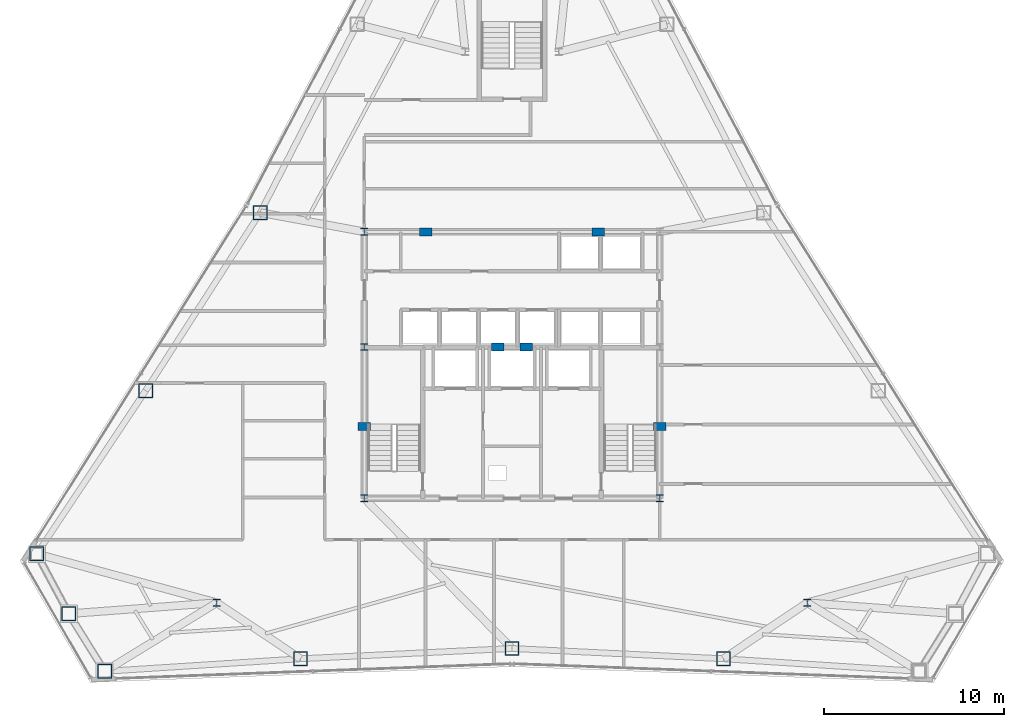
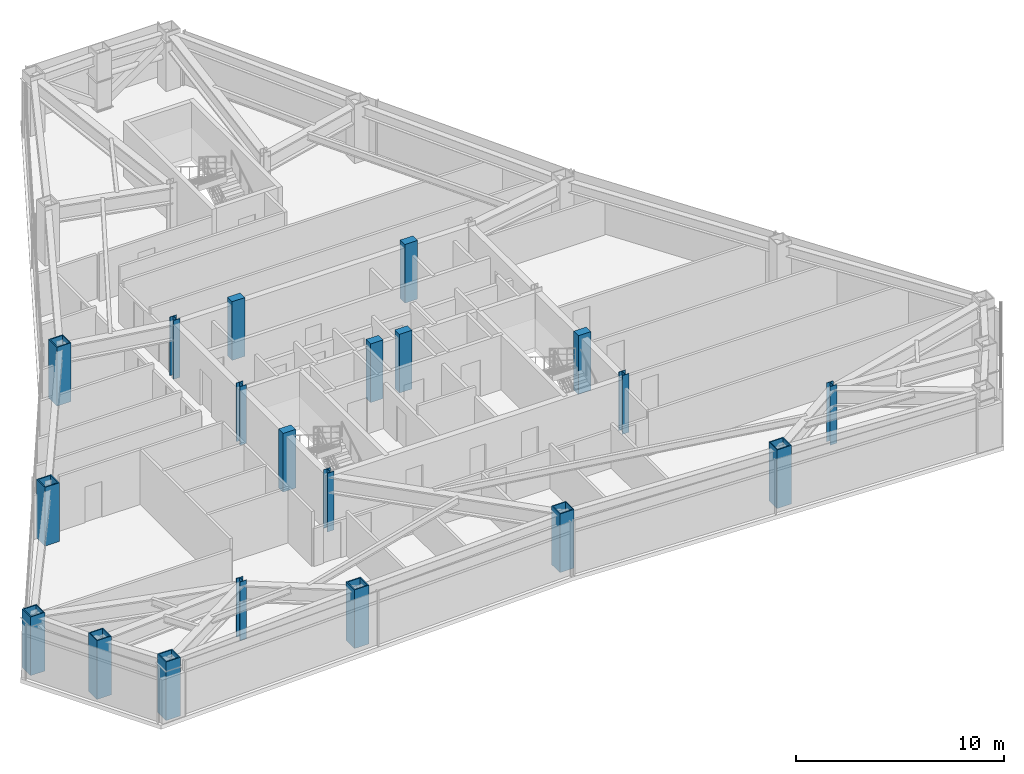
# One storey, part 1 of 13: 20 columns.
"""IFC4 building model written with IfcOpenShell, lengths in metres."""

import ifcopenshell
import ifcopenshell.guid

model = None  # the IFC model being written
_history = None  # IfcOwnerHistory: only IFC2X3 demands one
_inside = {}  # id of a spatial element -> (the spatial element, [elements in it])
_under = {}  # id of a project, library or spatial element -> (it, [spatial elements below it])
_declared = {}  # id of a project -> (the project, [libraries it declares])
_typed = {}  # id of a type object -> (the type object, [elements of that type])
_made_of = {}  # id of a material, layer set ... -> (it, [elements and type objects made of it])


def new_model(schema):
    """Start an empty IFC model of exactly this schema.

    Asked for "IFC4X3", IfcOpenShell would pick the latest addendum, in which some entities
    have other attributes; the version numbers below select the first issue.
    IFC2X3 requires an IfcOwnerHistory on every rooted entity: one is made here for all.
    """
    global model, _history
    if schema == "IFC4X3":
        model = ifcopenshell.file(schema_version=(4, 3, 0, 0))
    else:
        model = ifcopenshell.file(schema=schema)
    _inside.clear()
    _under.clear()
    _declared.clear()
    _typed.clear()
    _made_of.clear()
    _history = None
    if model.schema == "IFC2X3":
        org = make("IfcOrganization", Name="unknown")
        user = make(
            "IfcPersonAndOrganization",
            ThePerson=make("IfcPerson", FamilyName="unknown"),
            TheOrganization=org,
        )
        app = make(
            "IfcApplication",
            ApplicationDeveloper=org,
            Version="unknown",
            ApplicationFullName="unknown",
            ApplicationIdentifier="unknown",
        )
        _history = make(
            "IfcOwnerHistory",
            OwningUser=user,
            OwningApplication=app,
            ChangeAction="ADDED",
            CreationDate=0,
        )
    return model


def make(cls, **values):
    """One entity of the class cls with the attributes given. An attribute that is None is left unset."""
    return model.create_entity(
        cls, **{name: value for name, value in values.items() if value is not None}
    )


def rooted(cls, **values):
    """An entity with a GlobalId (a new one), such as an element, a storey or a relation."""
    return make(cls, GlobalId=ifcopenshell.guid.new(), OwnerHistory=_history, **values)


def si_unit(unit_type, name, prefix=None):
    """IfcSIUnit, for example si_unit("LENGTHUNIT", "METRE", prefix="MILLI")."""
    return make("IfcSIUnit", UnitType=unit_type, Prefix=prefix, Name=name)


def assignment(units):
    """IfcUnitAssignment: the units of a project."""
    return None if units is None else make("IfcUnitAssignment", Units=units)


def point(xyz):
    """IfcCartesianPoint."""
    return None if xyz is None else make("IfcCartesianPoint", Coordinates=xyz)


def direction(xyz):
    """IfcDirection."""
    return None if xyz is None else make("IfcDirection", DirectionRatios=xyz)


def frame(location, z_axis=None, x_axis=None):
    """IfcAxis2Placement3D, a coordinate frame: its origin and axes. An axis left out is left unset."""
    return make(
        "IfcAxis2Placement3D",
        Location=point(location),
        Axis=direction(z_axis),
        RefDirection=direction(x_axis),
    )


def frame_2d(location, x_axis=None):
    """IfcAxis2Placement2D, a coordinate frame in the plane: its origin and x axis."""
    return make(
        "IfcAxis2Placement2D", Location=point(location), RefDirection=direction(x_axis)
    )


def origin():
    """The frame at (0, 0, 0) with its axes left unset."""
    return frame((0.0, 0.0, 0.0))


def origin_2d():
    """The frame at (0, 0) in the plane with its x axis left unset."""
    return frame_2d((0.0, 0.0))


def place(relative_to, where):
    """IfcLocalPlacement: puts the frame where relative to a parent placement (None: the world)."""
    return make(
        "IfcLocalPlacement", PlacementRelTo=relative_to, RelativePlacement=where
    )


def context(
    kind, dimensions, precision=None, world=None, true_north=None, identifier=None
):
    """IfcGeometricRepresentationContext, for example the 3D "Model" context."""
    return make(
        "IfcGeometricRepresentationContext",
        ContextIdentifier=identifier,
        ContextType=kind,
        CoordinateSpaceDimension=dimensions,
        Precision=precision,
        WorldCoordinateSystem=world,
        TrueNorth=true_north,
    )


def subcontext(parent, identifier, kind, view, scale=None):
    """IfcGeometricRepresentationSubContext, for example "Body" below "Model"."""
    return make(
        "IfcGeometricRepresentationSubContext",
        ContextIdentifier=identifier,
        ContextType=kind,
        ParentContext=parent,
        TargetScale=scale,
        TargetView=view,
    )


def project(units=None, contexts=None):
    """IfcProject with its units and contexts."""
    return rooted(
        "IfcProject",
        Name="project",
        RepresentationContexts=contexts,
        UnitsInContext=assignment(units),
    )


def spatial(cls, under=None, at=None, **own):
    """A site, building, storey or space (cls), placed at a placement, below another one or the project."""
    s = rooted(cls, ObjectPlacement=at, **own)
    if under is not None:
        _under.setdefault(under.id(), (under, []))[1].append(s)
    return s


def profile(cls, at=None, kind="AREA", **sizes):
    """A parametric profile (cls). Its sizes go by their IFC names, for example OverallWidth=200.0."""
    return make(cls, ProfileType=kind, Position=at, **sizes)


def rectangle(**sizes):
    """IfcRectangleProfileDef."""
    return profile("IfcRectangleProfileDef", **sizes)


def hollow_rectangle(**sizes):
    """IfcRectangleHollowProfileDef."""
    return profile("IfcRectangleHollowProfileDef", **sizes)


def i_section(**sizes):
    """IfcIShapeProfileDef."""
    return profile("IfcIShapeProfileDef", **sizes)


def extrude(swept, where, along, depth):
    """IfcExtrudedAreaSolid: the profile swept, set in the frame where, extruded along a direction by depth."""
    return make(
        "IfcExtrudedAreaSolid",
        SweptArea=swept,
        Position=where,
        ExtrudedDirection=direction(along),
        Depth=depth,
    )


def shape(context_of_items, identifier, shape_type, items):
    """IfcShapeRepresentation: the items that make up one representation, for example the "Body"."""
    return make(
        "IfcShapeRepresentation",
        ContextOfItems=context_of_items,
        RepresentationIdentifier=identifier,
        RepresentationType=shape_type,
        Items=items,
    )


def material(Name=None, Category=None):
    """IfcMaterial."""
    return make("IfcMaterial", Name=Name, Category=Category)


def material_profile(
    of_material, cross_section, Name=None, Category=None, Priority=None
):
    """IfcMaterialProfile: a cross section and its material."""
    return make(
        "IfcMaterialProfile",
        Name=Name,
        Material=of_material,
        Profile=cross_section,
        Priority=Priority,
        Category=Category,
    )


def profile_set(profiles, Name=None, composite=None):
    """IfcMaterialProfileSet."""
    return make(
        "IfcMaterialProfileSet",
        Name=Name,
        MaterialProfiles=profiles,
        CompositeProfile=composite,
    )


def made_of(thing, what):
    """Note that an element or type object is made of a material, layer set ...; save() writes the relation."""
    if what is not None:
        _made_of.setdefault(what.id(), (what, []))[1].append(thing)
    return thing


def type_object(cls, material=None, **own):
    """A type object (cls), such as IfcWallType, which elements share."""
    return made_of(rooted(cls, **own), material)


def element(
    cls,
    number,
    at=None,
    inside=None,
    cuts=None,
    type_object=None,
    material=None,
    context=None,
    identifier="Body",
    shape_type=None,
    held_by="IfcProductDefinitionShape",
    body=None,
    shapes=None,
    **own,
):
    """One element of the class cls, such as IfcWall. Its Tag is "e" and its number.

    at: its placement. inside: the storey or other place that contains it. cuts: it is an
    opening in that element (IfcRelVoidsElement). A single representation is given by context,
    identifier, shape_type and body (its items); several are given by shapes. held_by: the class
    of the entity that holds the representations. save() writes the other relations.
    """
    e = rooted(cls, Tag="e%d" % number, ObjectPlacement=at, **own)
    if body is not None:
        shapes = [shape(context, identifier, shape_type, body)]
    if shapes is not None:
        e.Representation = make(held_by, Representations=shapes)
    if inside is not None:
        _inside.setdefault(inside.id(), (inside, []))[1].append(e)
    if cuts is not None:
        rooted(
            "IfcRelVoidsElement", RelatingBuildingElement=cuts, RelatedOpeningElement=e
        )
    if type_object is not None:
        _typed.setdefault(type_object.id(), (type_object, []))[1].append(e)
    return made_of(e, material)


def aggregate(whole, parts):
    """IfcRelAggregates: a whole, such as a stair, and the parts it consists of."""
    return rooted("IfcRelAggregates", RelatingObject=whole, RelatedObjects=parts)


def save(model, path):
    """Write the relations noted so far, then the file.

    IfcRelAggregates (storeys below a building ...), IfcRelContainedInSpatialStructure (elements
    in a storey), IfcRelDefinesByType, IfcRelAssociatesMaterial and IfcRelDeclares: one each for
    every whole, place, type object, material and project.
    """
    for whole, parts in _under.values():
        aggregate(whole, parts)
    for where, things in _inside.values():
        rooted(
            "IfcRelContainedInSpatialStructure",
            RelatedElements=things,
            RelatingStructure=where,
        )
    for kind, things in _typed.values():
        rooted("IfcRelDefinesByType", RelatedObjects=things, RelatingType=kind)
    for what, things in _made_of.values():
        rooted("IfcRelAssociatesMaterial", RelatedObjects=things, RelatingMaterial=what)
    for by, libraries in _declared.values():
        rooted("IfcRelDeclares", RelatingContext=by, RelatedDefinitions=libraries)
    model.write(path)


model = new_model("IFC4")

# Units and contexts
model_context = context("Model", 3, precision=1e-05, world=origin(), true_north=direction((0.0, 1.0)))
body_context = subcontext(model_context, "Body", "Model", "MODEL_VIEW")
ifc_project = project(units=[si_unit("LENGTHUNIT", "METRE"), si_unit("AREAUNIT", "SQUARE_METRE"), si_unit("VOLUMEUNIT", "CUBIC_METRE"), si_unit("PLANEANGLEUNIT", "RADIAN"), si_unit("MASSUNIT", "GRAM", prefix="KILO")], contexts=[model_context])

# Site, building, storey
site_placement = place(None, origin())
site = spatial("IfcSite", under=ifc_project, at=site_placement, CompositionType="ELEMENT")
building_placement = place(site_placement, origin())
building = spatial("IfcBuilding", under=site, at=building_placement, Name="Varakhsha Concourse Tower", CompositionType="ELEMENT")
storey_placement = place(building_placement, frame((0.0, 0.0, 179.25)))
storey = spatial("IfcBuildingStorey", under=building, at=storey_placement, Name="L51", CompositionType="ELEMENT", Elevation=179.25)

# Columns
ifc_material_1 = material(Name="Structural Steel ASTM A992 Grade 50", Category="steel")
ifc_material_profile_1 = material_profile(ifc_material_1, i_section(OverallWidth=0.3740234375, OverallDepth=0.3720703125, WebThickness=0.01611328125, FlangeThickness=0.02587890625, at=origin_2d()), Name="W14X132")
ifc_profile_set_1 = profile_set([ifc_material_profile_1], Name="Structural Steel ASTM A992 Grade 50")
column_type_1 = type_object("IfcColumnType", Name="CL-CORE-W14X132", PredefinedType="COLUMN", material=ifc_profile_set_1)
for number, where, z_axis, x_axis, name in (
    (1, (31.800048828125, 16.39990234375, 0.0), (0.0, 0.0, 1.0), (1.0, 0.0, 0.0), "L51 Core Column CC-SW"),
    (2, (48.199951171875, 16.39990234375, 0.0), (0.0, 0.0, 1.0), (1.0, 0.0, 0.0), "L51 Core Column CC-SE"),
    (3, (31.800048828125, 24.800048828125, 0.0), (0.0, 0.0, 1.0), (1.0, 0.0, 0.0), "L51 Core Column CC-MW"),
    (4, (31.800048828125, 31.199951171875, 0.0), (0.0, 0.0, 1.0), (1.0, 0.0, 0.0), "L51 Core Column CC-NW"),
    (5, (23.60009765625, 10.60009765625, 0.0), (0.0, 0.0, 1.0), (1.0, 0.0, 0.0), "L51 Core Column SS-W"),
    (6, (56.39990234375, 10.60009765625, 0.0), (0.0, 0.0, 1.0), (1.0, 0.0, 0.0), "L51 Core Column SS-E"),
):
    element("IfcColumn", number, at=place(storey_placement, frame(where, z_axis=z_axis, x_axis=x_axis)), inside=storey, type_object=column_type_1, Name=name, PredefinedType="COLUMN", context=body_context, shape_type="SweptSolid", body=[
        extrude(i_section(OverallWidth=0.3740234375, OverallDepth=0.3720703125, WebThickness=0.01611328125, FlangeThickness=0.02587890625, at=origin_2d()), origin(), (0.0, 0.0, 1.0), 3.449951171875),
    ])
ifc_material_2 = material(Name="Concrete fc 65 MPa", Category="concrete")
ifc_material_profile_2 = material_profile(ifc_material_2, rectangle(XDim=0.699951171875, YDim=0.449951171875, at=origin_2d()), Name="RC 700x450")
ifc_profile_set_2 = profile_set([ifc_material_profile_2], Name="Concrete fc 65 MPa")
column_type_2 = type_object("IfcColumnType", Name="CL-PIL-700X450", PredefinedType="PILASTER", material=ifc_profile_set_2)
for number, where, z_axis, x_axis, name in (
    (7, (31.800048828125, 20.39990234375, 0.0), (0.0, 0.0, 1.0), (1.0, 0.0, 0.0), "L51 Core Boundary Pilaster PIL-W1"),
    (8, (48.199951171875, 20.39990234375, 0.0), (0.0, 0.0, 1.0), (1.0, 0.0, 0.0), "L51 Core Boundary Pilaster PIL-E1"),
    (9, (35.199951171875, 31.199951171875, 0.0), (0.0, 0.0, 1.0), (1.0, 0.0, 0.0), "L51 Core Boundary Pilaster PIL-N1"),
    (10, (44.800048828125, 31.199951171875, 0.0), (0.0, 0.0, 1.0), (1.0, 0.0, 0.0), "L51 Core Boundary Pilaster PIL-N2"),
    (11, (39.199951171875, 24.800048828125, 0.0), (0.0, 0.0, 1.0), (1.0, 0.0, 0.0), "L51 Core Boundary Pilaster PIL-M1"),
    (12, (40.800048828125, 24.800048828125, 0.0), (0.0, 0.0, 1.0), (1.0, 0.0, 0.0), "L51 Core Boundary Pilaster PIL-M2"),
):
    element("IfcColumn", number, at=place(storey_placement, frame(where, z_axis=z_axis, x_axis=x_axis)), inside=storey, type_object=column_type_2, Name=name, PredefinedType="PILASTER", context=body_context, shape_type="SweptSolid", body=[
        extrude(rectangle(XDim=0.699951171875, YDim=0.449951171875, at=origin_2d()), origin(), (0.0, 0.0, 1.0), 3.449951171875),
    ])
ifc_material_3 = material(Name="Structural Steel ASTM A572 Grade 50", Category="steel")
ifc_material_profile_3 = material_profile(ifc_material_3, hollow_rectangle(XDim=0.800048828125, YDim=0.800048828125, WallThickness=0.054931640625, at=origin_2d()), Name="BOX 800x800x55")
ifc_profile_set_3 = profile_set([ifc_material_profile_3], Name="Structural Steel ASTM A572 Grade 50")
column_type_3 = type_object("IfcColumnType", Name="CL-TUBE-800", PredefinedType="COLUMN", material=ifc_profile_set_3)
for number, where, z_axis, x_axis, name in (
    (13, (26.023681640625, 32.269287109375, 0.0), (0.0, 0.0, 1.0), (1.0, 0.0, 0.0), "L51 Framed-Tube Column TC05"),
    (14, (19.6572265625, 22.383544921875, 0.0), (0.0, 0.0, 1.0), (1.0, 0.0, 0.0), "L51 Framed-Tube Column TC06"),
    (15, (13.6123046875, 13.314208984375, 0.0), (0.0, 0.0, 1.0), (1.0, 0.0, 0.0), "L51 Framed-Tube Column TC07"),
    (16, (15.388916015625, 9.99072265625, 0.0), (0.0, 0.0, 1.0), (1.0, 0.0, 0.0), "L51 Framed-Tube Column TC08"),
    (17, (17.37890625, 6.79052734375, 0.0), (0.0, 0.0, 1.0), (1.0, 0.0, 0.0), "L51 Framed-Tube Column TC09"),
    (18, (28.255615234375, 7.49072265625, 0.0), (0.0, 0.0, 1.0), (1.0, 0.0, 0.0), "L51 Framed-Tube Column TC10"),
    (19, (40.0, 8.061279296875, 0.0), (0.0, 0.0, 1.0), (1.0, 0.0, 0.0), "L51 Framed-Tube Column TC11"),
    (20, (51.744384765625, 7.49072265625, 0.0), (0.0, 0.0, 1.0), (1.0, 0.0, 0.0), "L51 Framed-Tube Column TC12"),
):
    element("IfcColumn", number, at=place(storey_placement, frame(where, z_axis=z_axis, x_axis=x_axis)), inside=storey, type_object=column_type_3, Name=name, PredefinedType="COLUMN", context=body_context, shape_type="SweptSolid", body=[
        extrude(hollow_rectangle(XDim=0.800048828125, YDim=0.800048828125, WallThickness=0.054931640625, at=origin_2d()), origin(), (0.0, 0.0, 1.0), 3.449951171875),
    ])

save(model, "model.ifc")
